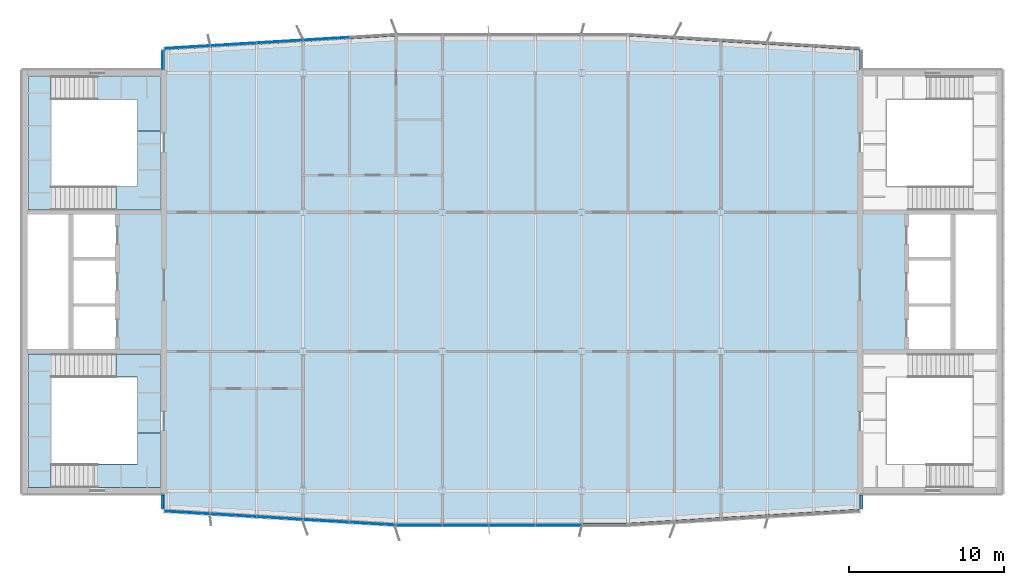
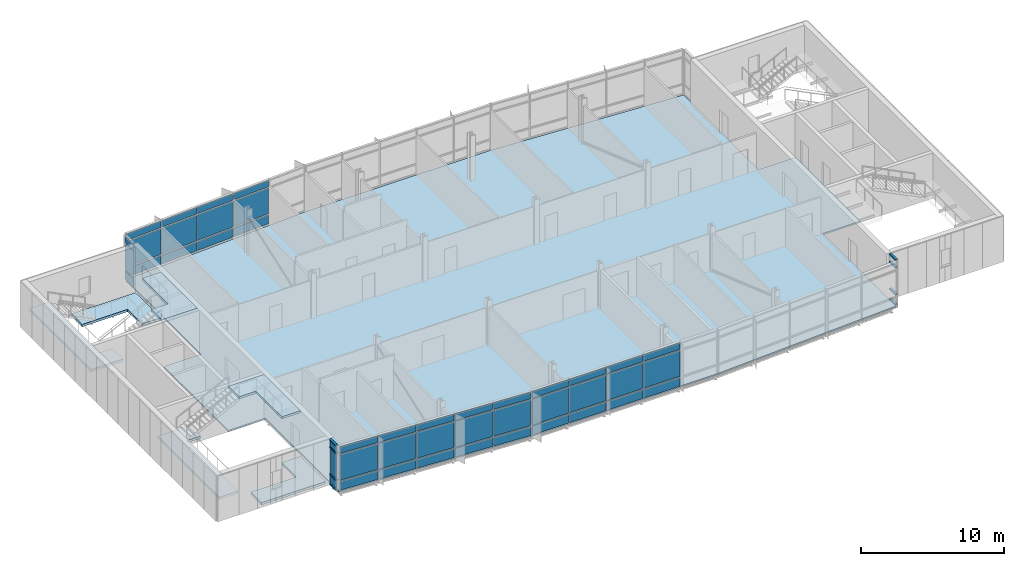
# One storey, part 9 of 17: 45 plates, 8 members, 7 slabs, 8 elements without a shape of their own.
"""IFC4 building model written with IfcOpenShell, lengths in metres."""

import ifcopenshell
import ifcopenshell.guid

model = None  # the IFC model being written
_history = None  # IfcOwnerHistory: only IFC2X3 demands one
_inside = {}  # id of a spatial element -> (the spatial element, [elements in it])
_under = {}  # id of a project, library or spatial element -> (it, [spatial elements below it])
_declared = {}  # id of a project -> (the project, [libraries it declares])
_typed = {}  # id of a type object -> (the type object, [elements of that type])
_made_of = {}  # id of a material, layer set ... -> (it, [elements and type objects made of it])


def new_model(schema):
    """Start an empty IFC model of exactly this schema.

    Asked for "IFC4X3", IfcOpenShell would pick the latest addendum, in which some entities
    have other attributes; the version numbers below select the first issue.
    IFC2X3 requires an IfcOwnerHistory on every rooted entity: one is made here for all.
    """
    global model, _history
    if schema == "IFC4X3":
        model = ifcopenshell.file(schema_version=(4, 3, 0, 0))
    else:
        model = ifcopenshell.file(schema=schema)
    _inside.clear()
    _under.clear()
    _declared.clear()
    _typed.clear()
    _made_of.clear()
    _history = None
    if model.schema == "IFC2X3":
        org = make("IfcOrganization", Name="unknown")
        user = make(
            "IfcPersonAndOrganization",
            ThePerson=make("IfcPerson", FamilyName="unknown"),
            TheOrganization=org,
        )
        app = make(
            "IfcApplication",
            ApplicationDeveloper=org,
            Version="unknown",
            ApplicationFullName="unknown",
            ApplicationIdentifier="unknown",
        )
        _history = make(
            "IfcOwnerHistory",
            OwningUser=user,
            OwningApplication=app,
            ChangeAction="ADDED",
            CreationDate=0,
        )
    return model


def make(cls, **values):
    """One entity of the class cls with the attributes given. An attribute that is None is left unset."""
    return model.create_entity(
        cls, **{name: value for name, value in values.items() if value is not None}
    )


def rooted(cls, **values):
    """An entity with a GlobalId (a new one), such as an element, a storey or a relation."""
    return make(cls, GlobalId=ifcopenshell.guid.new(), OwnerHistory=_history, **values)


def si_unit(unit_type, name, prefix=None):
    """IfcSIUnit, for example si_unit("LENGTHUNIT", "METRE", prefix="MILLI")."""
    return make("IfcSIUnit", UnitType=unit_type, Prefix=prefix, Name=name)


def assignment(units):
    """IfcUnitAssignment: the units of a project."""
    return None if units is None else make("IfcUnitAssignment", Units=units)


def point(xyz):
    """IfcCartesianPoint."""
    return None if xyz is None else make("IfcCartesianPoint", Coordinates=xyz)


def direction(xyz):
    """IfcDirection."""
    return None if xyz is None else make("IfcDirection", DirectionRatios=xyz)


def frame(location, z_axis=None, x_axis=None):
    """IfcAxis2Placement3D, a coordinate frame: its origin and axes. An axis left out is left unset."""
    return make(
        "IfcAxis2Placement3D",
        Location=point(location),
        Axis=direction(z_axis),
        RefDirection=direction(x_axis),
    )


def frame_2d(location, x_axis=None):
    """IfcAxis2Placement2D, a coordinate frame in the plane: its origin and x axis."""
    return make(
        "IfcAxis2Placement2D", Location=point(location), RefDirection=direction(x_axis)
    )


def origin():
    """The frame at (0, 0, 0) with its axes left unset."""
    return frame((0.0, 0.0, 0.0))


def origin_2d():
    """The frame at (0, 0) in the plane with its x axis left unset."""
    return frame_2d((0.0, 0.0))


def place(relative_to, where):
    """IfcLocalPlacement: puts the frame where relative to a parent placement (None: the world)."""
    return make(
        "IfcLocalPlacement", PlacementRelTo=relative_to, RelativePlacement=where
    )


def context(
    kind, dimensions, precision=None, world=None, true_north=None, identifier=None
):
    """IfcGeometricRepresentationContext, for example the 3D "Model" context."""
    return make(
        "IfcGeometricRepresentationContext",
        ContextIdentifier=identifier,
        ContextType=kind,
        CoordinateSpaceDimension=dimensions,
        Precision=precision,
        WorldCoordinateSystem=world,
        TrueNorth=true_north,
    )


def subcontext(parent, identifier, kind, view, scale=None):
    """IfcGeometricRepresentationSubContext, for example "Body" below "Model"."""
    return make(
        "IfcGeometricRepresentationSubContext",
        ContextIdentifier=identifier,
        ContextType=kind,
        ParentContext=parent,
        TargetScale=scale,
        TargetView=view,
    )


def project(units=None, contexts=None):
    """IfcProject with its units and contexts."""
    return rooted(
        "IfcProject",
        Name="project",
        RepresentationContexts=contexts,
        UnitsInContext=assignment(units),
    )


def spatial(cls, under=None, at=None, **own):
    """A site, building, storey or space (cls), placed at a placement, below another one or the project."""
    s = rooted(cls, ObjectPlacement=at, **own)
    if under is not None:
        _under.setdefault(under.id(), (under, []))[1].append(s)
    return s


def polyline(points):
    """IfcPolyline through the points."""
    return make("IfcPolyline", Points=[point(p) for p in points])


def profile(cls, at=None, kind="AREA", **sizes):
    """A parametric profile (cls). Its sizes go by their IFC names, for example OverallWidth=200.0."""
    return make(cls, ProfileType=kind, Position=at, **sizes)


def rectangle(**sizes):
    """IfcRectangleProfileDef."""
    return profile("IfcRectangleProfileDef", **sizes)


def outline(outer, holes=None, kind="AREA"):
    """IfcArbitraryClosedProfileDef: a profile drawn as a closed curve; with holes, ...WithVoids."""
    if holes is None:
        return make("IfcArbitraryClosedProfileDef", ProfileType=kind, OuterCurve=outer)
    return make(
        "IfcArbitraryProfileDefWithVoids",
        ProfileType=kind,
        OuterCurve=outer,
        InnerCurves=holes,
    )


def extrude(swept, where, along, depth):
    """IfcExtrudedAreaSolid: the profile swept, set in the frame where, extruded along a direction by depth."""
    return make(
        "IfcExtrudedAreaSolid",
        SweptArea=swept,
        Position=where,
        ExtrudedDirection=direction(along),
        Depth=depth,
    )


def shape(context_of_items, identifier, shape_type, items):
    """IfcShapeRepresentation: the items that make up one representation, for example the "Body"."""
    return make(
        "IfcShapeRepresentation",
        ContextOfItems=context_of_items,
        RepresentationIdentifier=identifier,
        RepresentationType=shape_type,
        Items=items,
    )


def material(Name=None, Category=None):
    """IfcMaterial."""
    return make("IfcMaterial", Name=Name, Category=Category)


def layer(
    of_material, thickness, ventilated=None, Name=None, Category=None, Priority=None
):
    """IfcMaterialLayer: one layer of a wall or slab, of a material (None: an air gap)."""
    return make(
        "IfcMaterialLayer",
        Material=of_material,
        LayerThickness=thickness,
        IsVentilated=ventilated,
        Name=Name,
        Category=Category,
        Priority=Priority,
    )


def layer_set(layers, Name=None):
    """IfcMaterialLayerSet."""
    return make("IfcMaterialLayerSet", MaterialLayers=layers, LayerSetName=Name)


def material_profile(
    of_material, cross_section, Name=None, Category=None, Priority=None
):
    """IfcMaterialProfile: a cross section and its material."""
    return make(
        "IfcMaterialProfile",
        Name=Name,
        Material=of_material,
        Profile=cross_section,
        Priority=Priority,
        Category=Category,
    )


def profile_set(profiles, Name=None, composite=None):
    """IfcMaterialProfileSet."""
    return make(
        "IfcMaterialProfileSet",
        Name=Name,
        MaterialProfiles=profiles,
        CompositeProfile=composite,
    )


def made_of(thing, what):
    """Note that an element or type object is made of a material, layer set ...; save() writes the relation."""
    if what is not None:
        _made_of.setdefault(what.id(), (what, []))[1].append(thing)
    return thing


def type_object(cls, material=None, **own):
    """A type object (cls), such as IfcWallType, which elements share."""
    return made_of(rooted(cls, **own), material)


def element(
    cls,
    number,
    at=None,
    inside=None,
    cuts=None,
    type_object=None,
    material=None,
    context=None,
    identifier="Body",
    shape_type=None,
    held_by="IfcProductDefinitionShape",
    body=None,
    shapes=None,
    **own,
):
    """One element of the class cls, such as IfcWall. Its Tag is "e" and its number.

    at: its placement. inside: the storey or other place that contains it. cuts: it is an
    opening in that element (IfcRelVoidsElement). A single representation is given by context,
    identifier, shape_type and body (its items); several are given by shapes. held_by: the class
    of the entity that holds the representations. save() writes the other relations.
    """
    e = rooted(cls, Tag="e%d" % number, ObjectPlacement=at, **own)
    if body is not None:
        shapes = [shape(context, identifier, shape_type, body)]
    if shapes is not None:
        e.Representation = make(held_by, Representations=shapes)
    if inside is not None:
        _inside.setdefault(inside.id(), (inside, []))[1].append(e)
    if cuts is not None:
        rooted(
            "IfcRelVoidsElement", RelatingBuildingElement=cuts, RelatedOpeningElement=e
        )
    if type_object is not None:
        _typed.setdefault(type_object.id(), (type_object, []))[1].append(e)
    return made_of(e, material)


def aggregate(whole, parts):
    """IfcRelAggregates: a whole, such as a stair, and the parts it consists of."""
    return rooted("IfcRelAggregates", RelatingObject=whole, RelatedObjects=parts)


def save(model, path):
    """Write the relations noted so far, then the file.

    IfcRelAggregates (storeys below a building ...), IfcRelContainedInSpatialStructure (elements
    in a storey), IfcRelDefinesByType, IfcRelAssociatesMaterial and IfcRelDeclares: one each for
    every whole, place, type object, material and project.
    """
    for whole, parts in _under.values():
        aggregate(whole, parts)
    for where, things in _inside.values():
        rooted(
            "IfcRelContainedInSpatialStructure",
            RelatedElements=things,
            RelatingStructure=where,
        )
    for kind, things in _typed.values():
        rooted("IfcRelDefinesByType", RelatedObjects=things, RelatingType=kind)
    for what, things in _made_of.values():
        rooted("IfcRelAssociatesMaterial", RelatedObjects=things, RelatingMaterial=what)
    for by, libraries in _declared.values():
        rooted("IfcRelDeclares", RelatingContext=by, RelatedDefinitions=libraries)
    model.write(path)


model = new_model("IFC4")

# Units and contexts
model_context = context("Model", 3, precision=1e-05, world=origin(), true_north=direction((0.0, 1.0)))
body_context = subcontext(model_context, "Body", "Model", "MODEL_VIEW")
ifc_project = project(units=[si_unit("LENGTHUNIT", "METRE"), si_unit("AREAUNIT", "SQUARE_METRE"), si_unit("VOLUMEUNIT", "CUBIC_METRE"), si_unit("PLANEANGLEUNIT", "RADIAN"), si_unit("MASSUNIT", "GRAM", prefix="KILO")], contexts=[model_context])

# Site, building, storey
site_placement = place(None, origin())
site = spatial("IfcSite", under=ifc_project, at=site_placement, CompositionType="ELEMENT")
building_placement = place(site_placement, origin())
building = spatial("IfcBuilding", under=site, at=building_placement, Name="Azimuth Sports and Learning Centre", CompositionType="ELEMENT")
storey_placement = place(building_placement, frame((0.0, 0.0, 40.199951171875)))
storey = spatial("IfcBuildingStorey", under=building, at=storey_placement, Name="L08", CompositionType="ELEMENT", Elevation=40.199951171875)

# Curtain wall, members
ifc_material_1 = material(Name="Aluminium and glass", Category="aluminium")
curtain_wall_type_1 = type_object("IfcCurtainWallType", Name="Curtain wall tower return 180", PredefinedType="NOTDEFINED", material=ifc_material_1)
curtain_wall_1_placement = place(storey_placement, origin())
curtain_wall_1 = element("IfcCurtainWall", 1, at=curtain_wall_1_placement, inside=storey, type_object=curtain_wall_type_1, Name="Curtain wall CW08-001", PredefinedType="NOTDEFINED")
ifc_material_2 = material(Name="Aluminium", Category="aluminium")
ifc_material_profile = material_profile(ifc_material_2, rectangle(XDim=0.179931640625, YDim=0.10009765625, at=origin_2d()), Name="Transom 100x180")
ifc_profile_set = profile_set([ifc_material_profile], Name="Aluminium")
member_type = type_object("IfcMemberType", Name="Transom 100x180", PredefinedType="USERDEFINED", material=ifc_profile_set)
member_1_placement = place(storey_placement, frame((62.909912109375, 89.739990234375, 0.050048828125), z_axis=(0.0, -1.0, 0.0), x_axis=(1.0, 0.0, 0.0)))
member_1 = element("IfcMember", 2, at=member_1_placement, type_object=member_type, Name="CW08-001 transom 1.1", ObjectType="TRANSOM", PredefinedType="USERDEFINED", context=body_context, shape_type="SweptSolid", body=[
    extrude(rectangle(XDim=0.179931640625, YDim=0.10009765625, at=origin_2d()), origin(), (0.0, 0.0, 1.0), 0.8798828125),
])
member_2_placement = place(storey_placement, frame((62.909912109375, 89.739990234375, 0.900146484375), z_axis=(0.0, -1.0, 0.0), x_axis=(1.0, 0.0, 0.0)))
member_2 = element("IfcMember", 3, at=member_2_placement, type_object=member_type, Name="CW08-001 transom 1.2", ObjectType="TRANSOM", PredefinedType="USERDEFINED", context=body_context, shape_type="SweptSolid", body=[
    extrude(rectangle(XDim=0.179931640625, YDim=0.10009765625, at=origin_2d()), origin(), (0.0, 0.0, 1.0), 0.8798828125),
])
member_3_placement = place(storey_placement, frame((62.909912109375, 89.739990234375, 3.199951171875), z_axis=(0.0, -1.0, 0.0), x_axis=(1.0, 0.0, 0.0)))
member_3 = element("IfcMember", 4, at=member_3_placement, type_object=member_type, Name="CW08-001 transom 1.3", ObjectType="TRANSOM", PredefinedType="USERDEFINED", context=body_context, shape_type="SweptSolid", body=[
    extrude(rectangle(XDim=0.179931640625, YDim=0.10009765625, at=origin_2d()), origin(), (0.0, 0.0, 1.0), 0.8798828125),
])
member_4_placement = place(storey_placement, frame((62.909912109375, 89.739990234375, 3.85009765625), z_axis=(0.0, -1.0, 0.0), x_axis=(1.0, 0.0, 0.0)))
member_4 = element("IfcMember", 5, at=member_4_placement, type_object=member_type, Name="CW08-001 transom 1.4", ObjectType="TRANSOM", PredefinedType="USERDEFINED", context=body_context, shape_type="SweptSolid", body=[
    extrude(rectangle(XDim=0.179931640625, YDim=0.10009765625, at=origin_2d()), origin(), (0.0, 0.0, 1.0), 0.8798828125),
])

curtain_wall_2_placement = place(storey_placement, origin())
curtain_wall_2 = element("IfcCurtainWall", 6, at=curtain_wall_2_placement, inside=storey, type_object=curtain_wall_type_1, Name="Curtain wall CW08-005", PredefinedType="NOTDEFINED")
member_5_placement = place(storey_placement, frame((108.090087890625, 88.860107421875, 0.050048828125), z_axis=(0.0, 1.0, 0.0), x_axis=(-1.0, 0.0, 0.0)))
member_5 = element("IfcMember", 7, at=member_5_placement, type_object=member_type, Name="CW08-005 transom 1.1", ObjectType="TRANSOM", PredefinedType="USERDEFINED", context=body_context, shape_type="SweptSolid", body=[
    extrude(rectangle(XDim=0.179931640625, YDim=0.10009765625, at=origin_2d()), origin(), (0.0, 0.0, 1.0), 0.8798828125),
])
member_6_placement = place(storey_placement, frame((108.090087890625, 88.860107421875, 0.900146484375), z_axis=(0.0, 1.0, 0.0), x_axis=(-1.0, 0.0, 0.0)))
member_6 = element("IfcMember", 8, at=member_6_placement, type_object=member_type, Name="CW08-005 transom 1.2", ObjectType="TRANSOM", PredefinedType="USERDEFINED", context=body_context, shape_type="SweptSolid", body=[
    extrude(rectangle(XDim=0.179931640625, YDim=0.10009765625, at=origin_2d()), origin(), (0.0, 0.0, 1.0), 0.8798828125),
])
member_7_placement = place(storey_placement, frame((108.090087890625, 88.860107421875, 3.199951171875), z_axis=(0.0, 1.0, 0.0), x_axis=(-1.0, 0.0, 0.0)))
member_7 = element("IfcMember", 9, at=member_7_placement, type_object=member_type, Name="CW08-005 transom 1.3", ObjectType="TRANSOM", PredefinedType="USERDEFINED", context=body_context, shape_type="SweptSolid", body=[
    extrude(rectangle(XDim=0.179931640625, YDim=0.10009765625, at=origin_2d()), origin(), (0.0, 0.0, 1.0), 0.8798828125),
])
member_8_placement = place(storey_placement, frame((108.090087890625, 88.860107421875, 3.85009765625), z_axis=(0.0, 1.0, 0.0), x_axis=(-1.0, 0.0, 0.0)))
member_8 = element("IfcMember", 10, at=member_8_placement, type_object=member_type, Name="CW08-005 transom 1.4", ObjectType="TRANSOM", PredefinedType="USERDEFINED", context=body_context, shape_type="SweptSolid", body=[
    extrude(rectangle(XDim=0.179931640625, YDim=0.10009765625, at=origin_2d()), origin(), (0.0, 0.0, 1.0), 0.8798828125),
])
aggregate(curtain_wall_2, [member_5, member_6, member_7, member_8])

# Slab
ifc_material_3 = material(Name="Concrete C30/37", Category="concrete")
ifc_layer_1 = layer(ifc_material_3, 0.1298828125)
ifc_layer_set_1 = layer_set([ifc_layer_1], Name="Concrete C30/37")
slab_type_1 = type_object("IfcSlabType", Name="Composite floor slab 130", PredefinedType="FLOOR", material=ifc_layer_set_1)
slab_1_placement = place(storey_placement, frame((0.0, 0.0, -0.1298828125)))
element("IfcSlab", 11, at=slab_1_placement, inside=storey, type_object=slab_type_1, Name="Slab TOWER L08", PredefinedType="FLOOR", context=body_context, shape_type="SweptSolid", body=[
    extrude(outline(polyline([(78.0, 87.89990234375), (93.0, 87.89990234375), (108.0, 88.800048828125), (108.0, 99.0), (111.0, 99.0), (111.0, 108.0), (108.0, 108.0), (108.0, 118.5), (93.0, 119.39990234375), (78.0, 119.39990234375), (63.0, 118.5), (63.0, 108.0), (60.0, 108.0), (60.0, 99.0), (63.0, 99.0), (63.0, 88.800048828125), (78.0, 87.89990234375)])), origin(), (0.0, 0.0, 1.0), 0.1298828125),
])

# Stair, slabs
ifc_material_4 = material(Name="Concrete C32/40", Category="concrete")
stair_type = type_object("IfcStairType", Name="Square-well stair core 3900 storey", PredefinedType="THREE_QUARTER_TURN_STAIR", material=ifc_material_4)
stair_1_placement = place(storey_placement, origin())
stair_1 = element("IfcStair", 12, at=stair_1_placement, inside=storey, type_object=stair_type, Name="Stair W1 L08-L09", PredefinedType="THREE_QUARTER_TURN_STAIR")
ifc_material_5 = material(Name="Concrete C32/40", Category="concrete")
ifc_layer_2 = layer(ifc_material_5, 0.199951171875)
ifc_layer_set_2 = layer_set([ifc_layer_2], Name="Concrete C32/40")
slab_type_2 = type_object("IfcSlabType", Name="Concrete stair landing", PredefinedType="LANDING", material=ifc_layer_set_2)
slab_2_placement = place(storey_placement, frame((0.0, 0.0, -0.199951171875)))
slab_2 = element("IfcSlab", 13, at=slab_2_placement, type_object=slab_type_2, Name="Stair W1 L08 landing 1", PredefinedType="LANDING", context=body_context, shape_type="SweptSolid", body=[
    extrude(outline(polyline([(62.7900390625, 90.2099609375), (62.7900390625, 93.75), (61.2900390625, 93.75), (61.2900390625, 91.7099609375), (57.610107421875, 91.7099609375), (57.610107421875, 90.2099609375), (62.7900390625, 90.2099609375)])), origin(), (0.0, 0.0, 1.0), 0.199951171875),
])
slab_3_placement = place(storey_placement, frame((0.0, 0.0, 1.449951171875)))
slab_3 = element("IfcSlab", 14, at=slab_3_placement, type_object=slab_type_2, Name="Stair W1 L08 landing 2", PredefinedType="LANDING", context=body_context, shape_type="SweptSolid", body=[
    extrude(outline(polyline([(55.7099609375, 91.7099609375), (55.7099609375, 97.340087890625), (56.81005859375, 97.340087890625), (56.81005859375, 98.840087890625), (54.2099609375, 98.840087890625), (54.2099609375, 90.2099609375), (55.710693359375, 90.2099609375), (55.710693359375, 91.7099609375), (55.7099609375, 91.7099609375)])), origin(), (0.0, 0.0, 1.0), 0.2001953125),
])
slab_4_placement = place(storey_placement, frame((0.0, 0.0, 3.699951171875)))
slab_4 = element("IfcSlab", 15, at=slab_4_placement, type_object=slab_type_2, Name="Stair W1 L08 landing 3", PredefinedType="LANDING", context=body_context, shape_type="SweptSolid", body=[
    extrude(outline(polyline([(61.2900390625, 97.340087890625), (61.2900390625, 93.75), (62.7900390625, 93.75), (62.7900390625, 98.840087890625), (59.9091796875, 98.840087890625), (59.9091796875, 97.340087890625), (61.2900390625, 97.340087890625)])), origin(), (0.0, 0.0, 1.0), 0.2001953125),
])
aggregate(stair_1, [slab_2, slab_3, slab_4])

stair_2_placement = place(storey_placement, origin())
stair_2 = element("IfcStair", 16, at=stair_2_placement, inside=storey, type_object=stair_type, Name="Stair W2 L08-L09", PredefinedType="THREE_QUARTER_TURN_STAIR")
slab_5_placement = place(storey_placement, frame((0.0, 0.0, -0.199951171875)))
slab_5 = element("IfcSlab", 17, at=slab_5_placement, type_object=slab_type_2, Name="Stair W2 L08 landing 1", PredefinedType="LANDING", context=body_context, shape_type="SweptSolid", body=[
    extrude(outline(polyline([(57.610107421875, 115.2900390625), (61.2900390625, 115.2900390625), (61.2900390625, 113.25), (62.7900390625, 113.25), (62.7900390625, 116.7900390625), (57.610107421875, 116.7900390625), (57.610107421875, 115.2900390625)])), origin(), (0.0, 0.0, 1.0), 0.199951171875),
])
slab_6_placement = place(storey_placement, frame((0.0, 0.0, 1.449951171875)))
slab_6 = element("IfcSlab", 18, at=slab_6_placement, type_object=slab_type_2, Name="Stair W2 L08 landing 2", PredefinedType="LANDING", context=body_context, shape_type="SweptSolid", body=[
    extrude(outline(polyline([(55.7099609375, 115.2900390625), (55.710693359375, 115.2900390625), (55.710693359375, 116.7900390625), (54.2099609375, 116.7900390625), (54.2099609375, 108.159912109375), (56.81005859375, 108.159912109375), (56.81005859375, 109.659912109375), (55.7099609375, 109.659912109375), (55.7099609375, 115.2900390625)])), origin(), (0.0, 0.0, 1.0), 0.2001953125),
])
slab_7_placement = place(storey_placement, frame((0.0, 0.0, 3.699951171875)))
slab_7 = element("IfcSlab", 19, at=slab_7_placement, type_object=slab_type_2, Name="Stair W2 L08 landing 3", PredefinedType="LANDING", context=body_context, shape_type="SweptSolid", body=[
    extrude(outline(polyline([(61.2900390625, 109.659912109375), (59.9091796875, 109.659912109375), (59.9091796875, 108.159912109375), (62.7900390625, 108.159912109375), (62.7900390625, 113.25), (61.2900390625, 113.25), (61.2900390625, 109.659912109375)])), origin(), (0.0, 0.0, 1.0), 0.2001953125),
])
aggregate(stair_2, [slab_5, slab_6, slab_7])

# Plate
ifc_material_6 = material(Name="Insulated aluminium panel", Category="aluminium")
ifc_layer_3 = layer(ifc_material_6, 0.050048828125)
ifc_layer_set_3 = layer_set([ifc_layer_3], Name="Insulated aluminium panel")
plate_type_1 = type_object("IfcPlateType", Name="Spandrel panel 50 mm", PredefinedType="CURTAIN_PANEL", material=ifc_layer_set_3)
plate_1_placement = place(storey_placement, frame((62.909912109375, 89.300048828125, 0.10009765625), z_axis=(0.0, 0.0, 1.0), x_axis=(0.0, -1.0, 0.0)))
plate_1 = element("IfcPlate", 20, at=plate_1_placement, type_object=plate_type_1, Name="CW08-001 panel 1.1", PredefinedType="CURTAIN_PANEL", context=body_context, shape_type="SweptSolid", body=[
    extrude(rectangle(XDim=0.8798828125, YDim=0.050048828125, at=origin_2d()), origin(), (0.0, 0.0, 1.0), 0.75),
])

plate_2_placement = place(storey_placement, frame((62.909912109375, 89.300048828125, 3.25), z_axis=(0.0, 0.0, 1.0), x_axis=(0.0, -1.0, 0.0)))
plate_2 = element("IfcPlate", 21, at=plate_2_placement, type_object=plate_type_1, Name="CW08-001 panel 1.3", PredefinedType="CURTAIN_PANEL", context=body_context, shape_type="SweptSolid", body=[
    extrude(rectangle(XDim=0.8798828125, YDim=0.050048828125, at=origin_2d()), origin(), (0.0, 0.0, 1.0), 0.550048828125),
])

# Curtain wall, plates
ifc_material_7 = material(Name="Aluminium and glass", Category="aluminium")
curtain_wall_type_2 = type_object("IfcCurtainWallType", Name="Curtain wall tower south 240", PredefinedType="NOTDEFINED", material=ifc_material_7)
curtain_wall_3_placement = place(storey_placement, origin())
curtain_wall_3 = element("IfcCurtainWall", 22, at=curtain_wall_3_placement, inside=storey, type_object=curtain_wall_type_2, Name="Curtain wall CW08-002", PredefinedType="NOTDEFINED")
plate_3_placement = place(storey_placement, frame((64.51025390625, 88.589111328125, 0.10009765625), z_axis=(0.0, 0.0, 1.0), x_axis=(0.998204863401, -0.059891991812, 0.0)))
plate_3 = element("IfcPlate", 23, at=plate_3_placement, type_object=plate_type_1, Name="CW08-002 panel 1.1", PredefinedType="CURTAIN_PANEL", context=body_context, shape_type="SweptSolid", body=[
    extrude(rectangle(XDim=2.900390625, YDim=0.050048828125, at=origin_2d()), origin(), (0.0, 0.0, 1.0), 0.75),
])
plate_4_placement = place(storey_placement, frame((64.51025390625, 88.589111328125, 3.25), z_axis=(0.0, 0.0, 1.0), x_axis=(0.998204863401, -0.059891991812, 0.0)))
plate_4 = element("IfcPlate", 24, at=plate_4_placement, type_object=plate_type_1, Name="CW08-002 panel 1.3", PredefinedType="CURTAIN_PANEL", context=body_context, shape_type="SweptSolid", body=[
    extrude(rectangle(XDim=2.900390625, YDim=0.050048828125, at=origin_2d()), origin(), (0.0, 0.0, 1.0), 0.550048828125),
])
plate_5_placement = place(storey_placement, frame((67.492919921875, 88.41015625, 0.10009765625), z_axis=(0.0, 0.0, 1.0), x_axis=(0.998204863401, -0.059891991812, 0.0)))
plate_5 = element("IfcPlate", 25, at=plate_5_placement, type_object=plate_type_1, Name="CW08-002 panel 2.1", PredefinedType="CURTAIN_PANEL", context=body_context, shape_type="SweptSolid", body=[
    extrude(rectangle(XDim=2.935302734375, YDim=0.050048828125, at=origin_2d()), origin(), (0.0, 0.0, 1.0), 0.75),
])
plate_6_placement = place(storey_placement, frame((67.492919921875, 88.41015625, 3.25), z_axis=(0.0, 0.0, 1.0), x_axis=(0.998204863401, -0.059891991812, 0.0)))
plate_6 = element("IfcPlate", 26, at=plate_6_placement, type_object=plate_type_1, Name="CW08-002 panel 2.3", PredefinedType="CURTAIN_PANEL", context=body_context, shape_type="SweptSolid", body=[
    extrude(rectangle(XDim=2.935302734375, YDim=0.050048828125, at=origin_2d()), origin(), (0.0, 0.0, 1.0), 0.550048828125),
])
plate_7_placement = place(storey_placement, frame((70.492919921875, 88.230224609375, 0.10009765625), z_axis=(0.0, 0.0, 1.0), x_axis=(0.998204863401, -0.059891991812, 0.0)))
plate_7 = element("IfcPlate", 27, at=plate_7_placement, type_object=plate_type_1, Name="CW08-002 panel 3.1", PredefinedType="CURTAIN_PANEL", context=body_context, shape_type="SweptSolid", body=[
    extrude(rectangle(XDim=2.935302734375, YDim=0.050048828125, at=origin_2d()), origin(), (0.0, 0.0, 1.0), 0.75),
])
plate_8_placement = place(storey_placement, frame((70.492919921875, 88.230224609375, 3.25), z_axis=(0.0, 0.0, 1.0), x_axis=(0.998204863401, -0.059891991812, 0.0)))
plate_8 = element("IfcPlate", 28, at=plate_8_placement, type_object=plate_type_1, Name="CW08-002 panel 3.3", PredefinedType="CURTAIN_PANEL", context=body_context, shape_type="SweptSolid", body=[
    extrude(rectangle(XDim=2.935302734375, YDim=0.050048828125, at=origin_2d()), origin(), (0.0, 0.0, 1.0), 0.550048828125),
])
plate_9_placement = place(storey_placement, frame((73.492919921875, 88.05029296875, 0.10009765625), z_axis=(0.0, 0.0, 1.0), x_axis=(0.998204863401, -0.059891991812, 0.0)))
plate_9 = element("IfcPlate", 29, at=plate_9_placement, type_object=plate_type_1, Name="CW08-002 panel 4.1", PredefinedType="CURTAIN_PANEL", context=body_context, shape_type="SweptSolid", body=[
    extrude(rectangle(XDim=2.935302734375, YDim=0.050048828125, at=origin_2d()), origin(), (0.0, 0.0, 1.0), 0.75),
])
plate_10_placement = place(storey_placement, frame((73.492919921875, 88.05029296875, 3.25), z_axis=(0.0, 0.0, 1.0), x_axis=(0.998204863401, -0.059891991812, 0.0)))
plate_10 = element("IfcPlate", 30, at=plate_10_placement, type_object=plate_type_1, Name="CW08-002 panel 4.3", PredefinedType="CURTAIN_PANEL", context=body_context, shape_type="SweptSolid", body=[
    extrude(rectangle(XDim=2.935302734375, YDim=0.050048828125, at=origin_2d()), origin(), (0.0, 0.0, 1.0), 0.550048828125),
])
plate_11_placement = place(storey_placement, frame((76.475341796875, 87.871337890625, 0.10009765625), z_axis=(0.0, 0.0, 1.0), x_axis=(0.998204863401, -0.059891991812, 0.0)))
plate_11 = element("IfcPlate", 31, at=plate_11_placement, type_object=plate_type_1, Name="CW08-002 panel 5.1", PredefinedType="CURTAIN_PANEL", context=body_context, shape_type="SweptSolid", body=[
    extrude(rectangle(XDim=2.900390625, YDim=0.050048828125, at=origin_2d()), origin(), (0.0, 0.0, 1.0), 0.75),
])
plate_12_placement = place(storey_placement, frame((76.475341796875, 87.871337890625, 3.25), z_axis=(0.0, 0.0, 1.0), x_axis=(0.998204863401, -0.059891991812, 0.0)))
plate_12 = element("IfcPlate", 32, at=plate_12_placement, type_object=plate_type_1, Name="CW08-002 panel 5.3", PredefinedType="CURTAIN_PANEL", context=body_context, shape_type="SweptSolid", body=[
    extrude(rectangle(XDim=2.900390625, YDim=0.050048828125, at=origin_2d()), origin(), (0.0, 0.0, 1.0), 0.550048828125),
])

curtain_wall_4_placement = place(storey_placement, origin())
curtain_wall_4 = element("IfcCurtainWall", 33, at=curtain_wall_4_placement, inside=storey, type_object=curtain_wall_type_2, Name="Curtain wall CW08-003", PredefinedType="NOTDEFINED")
plate_13_placement = place(storey_placement, frame((79.513916015625, 87.780029296875, 0.10009765625), z_axis=(0.0, 0.0, 1.0), x_axis=(1.0, 0.0, 0.0)))
plate_13 = element("IfcPlate", 34, at=plate_13_placement, type_object=plate_type_1, Name="CW08-003 panel 1.1", PredefinedType="CURTAIN_PANEL", context=body_context, shape_type="SweptSolid", body=[
    extrude(rectangle(XDim=2.902099609375, YDim=0.050048828125, at=origin_2d()), origin(), (0.0, 0.0, 1.0), 0.75),
])
plate_14_placement = place(storey_placement, frame((79.513916015625, 87.780029296875, 3.25), z_axis=(0.0, 0.0, 1.0), x_axis=(1.0, 0.0, 0.0)))
plate_14 = element("IfcPlate", 35, at=plate_14_placement, type_object=plate_type_1, Name="CW08-003 panel 1.3", PredefinedType="CURTAIN_PANEL", context=body_context, shape_type="SweptSolid", body=[
    extrude(rectangle(XDim=2.902099609375, YDim=0.050048828125, at=origin_2d()), origin(), (0.0, 0.0, 1.0), 0.550048828125),
])
plate_15_placement = place(storey_placement, frame((82.5, 87.780029296875, 0.10009765625), z_axis=(0.0, 0.0, 1.0), x_axis=(1.0, 0.0, 0.0)))
plate_15 = element("IfcPlate", 36, at=plate_15_placement, type_object=plate_type_1, Name="CW08-003 panel 2.1", PredefinedType="CURTAIN_PANEL", context=body_context, shape_type="SweptSolid", body=[
    extrude(rectangle(XDim=2.929931640625, YDim=0.050048828125, at=origin_2d()), origin(), (0.0, 0.0, 1.0), 0.75),
])
plate_16_placement = place(storey_placement, frame((82.5, 87.780029296875, 3.25), z_axis=(0.0, 0.0, 1.0), x_axis=(1.0, 0.0, 0.0)))
plate_16 = element("IfcPlate", 37, at=plate_16_placement, type_object=plate_type_1, Name="CW08-003 panel 2.3", PredefinedType="CURTAIN_PANEL", context=body_context, shape_type="SweptSolid", body=[
    extrude(rectangle(XDim=2.929931640625, YDim=0.050048828125, at=origin_2d()), origin(), (0.0, 0.0, 1.0), 0.550048828125),
])
plate_17_placement = place(storey_placement, frame((85.5, 87.780029296875, 0.10009765625), z_axis=(0.0, 0.0, 1.0), x_axis=(1.0, 0.0, 0.0)))
plate_17 = element("IfcPlate", 38, at=plate_17_placement, type_object=plate_type_1, Name="CW08-003 panel 3.1", PredefinedType="CURTAIN_PANEL", context=body_context, shape_type="SweptSolid", body=[
    extrude(rectangle(XDim=2.929931640625, YDim=0.050048828125, at=origin_2d()), origin(), (0.0, 0.0, 1.0), 0.75),
])
plate_18_placement = place(storey_placement, frame((85.5, 87.780029296875, 3.25), z_axis=(0.0, 0.0, 1.0), x_axis=(1.0, 0.0, 0.0)))
plate_18 = element("IfcPlate", 39, at=plate_18_placement, type_object=plate_type_1, Name="CW08-003 panel 3.3", PredefinedType="CURTAIN_PANEL", context=body_context, shape_type="SweptSolid", body=[
    extrude(rectangle(XDim=2.929931640625, YDim=0.050048828125, at=origin_2d()), origin(), (0.0, 0.0, 1.0), 0.550048828125),
])
plate_19_placement = place(storey_placement, frame((88.5, 87.780029296875, 0.10009765625), z_axis=(0.0, 0.0, 1.0), x_axis=(1.0, 0.0, 0.0)))
plate_19 = element("IfcPlate", 40, at=plate_19_placement, type_object=plate_type_1, Name="CW08-003 panel 4.1", PredefinedType="CURTAIN_PANEL", context=body_context, shape_type="SweptSolid", body=[
    extrude(rectangle(XDim=2.929931640625, YDim=0.050048828125, at=origin_2d()), origin(), (0.0, 0.0, 1.0), 0.75),
])
plate_20_placement = place(storey_placement, frame((88.5, 87.780029296875, 3.25), z_axis=(0.0, 0.0, 1.0), x_axis=(1.0, 0.0, 0.0)))
plate_20 = element("IfcPlate", 41, at=plate_20_placement, type_object=plate_type_1, Name="CW08-003 panel 4.3", PredefinedType="CURTAIN_PANEL", context=body_context, shape_type="SweptSolid", body=[
    extrude(rectangle(XDim=2.929931640625, YDim=0.050048828125, at=origin_2d()), origin(), (0.0, 0.0, 1.0), 0.550048828125),
])

ifc_material_8 = material(Name="Aluminium and glass", Category="aluminium")
curtain_wall_type_3 = type_object("IfcCurtainWallType", Name="Curtain wall tower north 180", PredefinedType="NOTDEFINED", material=ifc_material_8)
curtain_wall_5_placement = place(storey_placement, origin())
curtain_wall_5 = element("IfcCurtainWall", 42, at=curtain_wall_5_placement, inside=storey, type_object=curtain_wall_type_3, Name="Curtain wall CW08-009", PredefinedType="NOTDEFINED")
plate_21_placement = place(storey_placement, frame((73.49462890625, 119.2197265625, 0.10009765625), z_axis=(0.0, 0.0, 1.0), x_axis=(-0.998204863401, -0.059891991812, 0.0)))
plate_21 = element("IfcPlate", 43, at=plate_21_placement, type_object=plate_type_1, Name="CW08-009 panel 2.1", PredefinedType="CURTAIN_PANEL", context=body_context, shape_type="SweptSolid", body=[
    extrude(rectangle(XDim=2.9453125, YDim=0.050048828125, at=origin_2d()), origin(), (0.0, 0.0, 1.0), 0.75),
])
plate_22_placement = place(storey_placement, frame((73.49462890625, 119.2197265625, 3.25), z_axis=(0.0, 0.0, 1.0), x_axis=(-0.998204863401, -0.059891991812, 0.0)))
plate_22 = element("IfcPlate", 44, at=plate_22_placement, type_object=plate_type_1, Name="CW08-009 panel 2.3", PredefinedType="CURTAIN_PANEL", context=body_context, shape_type="SweptSolid", body=[
    extrude(rectangle(XDim=2.9453125, YDim=0.050048828125, at=origin_2d()), origin(), (0.0, 0.0, 1.0), 0.550048828125),
])
plate_23_placement = place(storey_placement, frame((70.49462890625, 119.039794921875, 0.10009765625), z_axis=(0.0, 0.0, 1.0), x_axis=(-0.998204863401, -0.059891991812, 0.0)))
plate_23 = element("IfcPlate", 45, at=plate_23_placement, type_object=plate_type_1, Name="CW08-009 panel 3.1", PredefinedType="CURTAIN_PANEL", context=body_context, shape_type="SweptSolid", body=[
    extrude(rectangle(XDim=2.9453125, YDim=0.050048828125, at=origin_2d()), origin(), (0.0, 0.0, 1.0), 0.75),
])
plate_24_placement = place(storey_placement, frame((70.49462890625, 119.039794921875, 3.25), z_axis=(0.0, 0.0, 1.0), x_axis=(-0.998204863401, -0.059891991812, 0.0)))
plate_24 = element("IfcPlate", 46, at=plate_24_placement, type_object=plate_type_1, Name="CW08-009 panel 3.3", PredefinedType="CURTAIN_PANEL", context=body_context, shape_type="SweptSolid", body=[
    extrude(rectangle(XDim=2.9453125, YDim=0.050048828125, at=origin_2d()), origin(), (0.0, 0.0, 1.0), 0.550048828125),
])
plate_25_placement = place(storey_placement, frame((67.49462890625, 118.85986328125, 0.10009765625), z_axis=(0.0, 0.0, 1.0), x_axis=(-0.998204863401, -0.059891991812, 0.0)))
plate_25 = element("IfcPlate", 47, at=plate_25_placement, type_object=plate_type_1, Name="CW08-009 panel 4.1", PredefinedType="CURTAIN_PANEL", context=body_context, shape_type="SweptSolid", body=[
    extrude(rectangle(XDim=2.9453125, YDim=0.050048828125, at=origin_2d()), origin(), (0.0, 0.0, 1.0), 0.75),
])
plate_26_placement = place(storey_placement, frame((67.49462890625, 118.85986328125, 3.25), z_axis=(0.0, 0.0, 1.0), x_axis=(-0.998204863401, -0.059891991812, 0.0)))
plate_26 = element("IfcPlate", 48, at=plate_26_placement, type_object=plate_type_1, Name="CW08-009 panel 4.3", PredefinedType="CURTAIN_PANEL", context=body_context, shape_type="SweptSolid", body=[
    extrude(rectangle(XDim=2.9453125, YDim=0.050048828125, at=origin_2d()), origin(), (0.0, 0.0, 1.0), 0.550048828125),
])
plate_27_placement = place(storey_placement, frame((64.509521484375, 118.6806640625, 0.10009765625), z_axis=(0.0, 0.0, 1.0), x_axis=(-0.998204863401, -0.059891991812, 0.0)))
plate_27 = element("IfcPlate", 49, at=plate_27_placement, type_object=plate_type_1, Name="CW08-009 panel 5.1", PredefinedType="CURTAIN_PANEL", context=body_context, shape_type="SweptSolid", body=[
    extrude(rectangle(XDim=2.915283203125, YDim=0.050048828125, at=origin_2d()), origin(), (0.0, 0.0, 1.0), 0.75),
])
plate_28_placement = place(storey_placement, frame((64.509521484375, 118.6806640625, 3.25), z_axis=(0.0, 0.0, 1.0), x_axis=(-0.998204863401, -0.059891991812, 0.0)))
plate_28 = element("IfcPlate", 50, at=plate_28_placement, type_object=plate_type_1, Name="CW08-009 panel 5.3", PredefinedType="CURTAIN_PANEL", context=body_context, shape_type="SweptSolid", body=[
    extrude(rectangle(XDim=2.915283203125, YDim=0.050048828125, at=origin_2d()), origin(), (0.0, 0.0, 1.0), 0.550048828125),
])

curtain_wall_6_placement = place(storey_placement, origin())
curtain_wall_6 = element("IfcCurtainWall", 51, at=curtain_wall_6_placement, inside=storey, type_object=curtain_wall_type_1, Name="Curtain wall CW08-010", PredefinedType="NOTDEFINED")
plate_29_placement = place(storey_placement, frame((62.909912109375, 117.85009765625, 0.10009765625), z_axis=(0.0, 0.0, 1.0), x_axis=(0.0, -1.0, 0.0)))
plate_29 = element("IfcPlate", 52, at=plate_29_placement, type_object=plate_type_1, Name="CW08-010 panel 1.1", PredefinedType="CURTAIN_PANEL", context=body_context, shape_type="SweptSolid", body=[
    extrude(rectangle(XDim=1.179931640625, YDim=0.050048828125, at=origin_2d()), origin(), (0.0, 0.0, 1.0), 0.75),
])
plate_30_placement = place(storey_placement, frame((62.909912109375, 117.85009765625, 3.25), z_axis=(0.0, 0.0, 1.0), x_axis=(0.0, -1.0, 0.0)))
plate_30 = element("IfcPlate", 53, at=plate_30_placement, type_object=plate_type_1, Name="CW08-010 panel 1.3", PredefinedType="CURTAIN_PANEL", context=body_context, shape_type="SweptSolid", body=[
    extrude(rectangle(XDim=1.179931640625, YDim=0.050048828125, at=origin_2d()), origin(), (0.0, 0.0, 1.0), 0.550048828125),
])

# Plate
ifc_material_9 = material(Name="Glass", Category="glass")
ifc_layer_4 = layer(ifc_material_9, 0.031982421875)
ifc_layer_set_4 = layer_set([ifc_layer_4], Name="Glass")
plate_type_2 = type_object("IfcPlateType", Name="Vision glass 32 mm", PredefinedType="CURTAIN_PANEL", material=ifc_layer_set_4)
plate_31_placement = place(storey_placement, frame((62.909912109375, 89.300048828125, 0.9501953125), z_axis=(0.0, 0.0, 1.0), x_axis=(0.0, -1.0, 0.0)))
plate_31 = element("IfcPlate", 54, at=plate_31_placement, type_object=plate_type_2, Name="CW08-001 panel 1.2", PredefinedType="CURTAIN_PANEL", context=body_context, shape_type="SweptSolid", body=[
    extrude(rectangle(XDim=0.8798828125, YDim=0.031982421875, at=origin_2d()), origin(), (0.0, 0.0, 1.0), 2.199951171875),
])

aggregate(curtain_wall_1, [member_1, member_2, member_3, member_4, plate_1, plate_31, plate_2])

plate_32_placement = place(storey_placement, frame((64.51025390625, 88.589111328125, 0.9501953125), z_axis=(0.0, 0.0, 1.0), x_axis=(0.998204863401, -0.059891991812, 0.0)))
plate_32 = element("IfcPlate", 55, at=plate_32_placement, type_object=plate_type_2, Name="CW08-002 panel 1.2", PredefinedType="CURTAIN_PANEL", context=body_context, shape_type="SweptSolid", body=[
    extrude(rectangle(XDim=2.900390625, YDim=0.031982421875, at=origin_2d()), origin(), (0.0, 0.0, 1.0), 2.199951171875),
])

plate_33_placement = place(storey_placement, frame((67.492919921875, 88.41015625, 0.9501953125), z_axis=(0.0, 0.0, 1.0), x_axis=(0.998204863401, -0.059891991812, 0.0)))
plate_33 = element("IfcPlate", 56, at=plate_33_placement, type_object=plate_type_2, Name="CW08-002 panel 2.2", PredefinedType="CURTAIN_PANEL", context=body_context, shape_type="SweptSolid", body=[
    extrude(rectangle(XDim=2.935302734375, YDim=0.031982421875, at=origin_2d()), origin(), (0.0, 0.0, 1.0), 2.199951171875),
])

plate_34_placement = place(storey_placement, frame((70.492919921875, 88.230224609375, 0.9501953125), z_axis=(0.0, 0.0, 1.0), x_axis=(0.998204863401, -0.059891991812, 0.0)))
plate_34 = element("IfcPlate", 57, at=plate_34_placement, type_object=plate_type_2, Name="CW08-002 panel 3.2", PredefinedType="CURTAIN_PANEL", context=body_context, shape_type="SweptSolid", body=[
    extrude(rectangle(XDim=2.935302734375, YDim=0.031982421875, at=origin_2d()), origin(), (0.0, 0.0, 1.0), 2.199951171875),
])

plate_35_placement = place(storey_placement, frame((73.492919921875, 88.05029296875, 0.9501953125), z_axis=(0.0, 0.0, 1.0), x_axis=(0.998204863401, -0.059891991812, 0.0)))
plate_35 = element("IfcPlate", 58, at=plate_35_placement, type_object=plate_type_2, Name="CW08-002 panel 4.2", PredefinedType="CURTAIN_PANEL", context=body_context, shape_type="SweptSolid", body=[
    extrude(rectangle(XDim=2.935302734375, YDim=0.031982421875, at=origin_2d()), origin(), (0.0, 0.0, 1.0), 2.199951171875),
])

plate_36_placement = place(storey_placement, frame((76.475341796875, 87.871337890625, 0.9501953125), z_axis=(0.0, 0.0, 1.0), x_axis=(0.998204863401, -0.059891991812, 0.0)))
plate_36 = element("IfcPlate", 59, at=plate_36_placement, type_object=plate_type_2, Name="CW08-002 panel 5.2", PredefinedType="CURTAIN_PANEL", context=body_context, shape_type="SweptSolid", body=[
    extrude(rectangle(XDim=2.900390625, YDim=0.031982421875, at=origin_2d()), origin(), (0.0, 0.0, 1.0), 2.199951171875),
])

aggregate(curtain_wall_3, [plate_3, plate_32, plate_4, plate_5, plate_33, plate_6, plate_7, plate_34, plate_8, plate_9, plate_35, plate_10, plate_11, plate_36, plate_12])

plate_37_placement = place(storey_placement, frame((79.513916015625, 87.780029296875, 0.9501953125), z_axis=(0.0, 0.0, 1.0), x_axis=(1.0, 0.0, 0.0)))
plate_37 = element("IfcPlate", 60, at=plate_37_placement, type_object=plate_type_2, Name="CW08-003 panel 1.2", PredefinedType="CURTAIN_PANEL", context=body_context, shape_type="SweptSolid", body=[
    extrude(rectangle(XDim=2.902099609375, YDim=0.031982421875, at=origin_2d()), origin(), (0.0, 0.0, 1.0), 2.199951171875),
])

plate_38_placement = place(storey_placement, frame((82.5, 87.780029296875, 0.9501953125), z_axis=(0.0, 0.0, 1.0), x_axis=(1.0, 0.0, 0.0)))
plate_38 = element("IfcPlate", 61, at=plate_38_placement, type_object=plate_type_2, Name="CW08-003 panel 2.2", PredefinedType="CURTAIN_PANEL", context=body_context, shape_type="SweptSolid", body=[
    extrude(rectangle(XDim=2.929931640625, YDim=0.031982421875, at=origin_2d()), origin(), (0.0, 0.0, 1.0), 2.199951171875),
])

plate_39_placement = place(storey_placement, frame((85.5, 87.780029296875, 0.9501953125), z_axis=(0.0, 0.0, 1.0), x_axis=(1.0, 0.0, 0.0)))
plate_39 = element("IfcPlate", 62, at=plate_39_placement, type_object=plate_type_2, Name="CW08-003 panel 3.2", PredefinedType="CURTAIN_PANEL", context=body_context, shape_type="SweptSolid", body=[
    extrude(rectangle(XDim=2.929931640625, YDim=0.031982421875, at=origin_2d()), origin(), (0.0, 0.0, 1.0), 2.199951171875),
])

plate_40_placement = place(storey_placement, frame((88.5, 87.780029296875, 0.9501953125), z_axis=(0.0, 0.0, 1.0), x_axis=(1.0, 0.0, 0.0)))
plate_40 = element("IfcPlate", 63, at=plate_40_placement, type_object=plate_type_2, Name="CW08-003 panel 4.2", PredefinedType="CURTAIN_PANEL", context=body_context, shape_type="SweptSolid", body=[
    extrude(rectangle(XDim=2.929931640625, YDim=0.031982421875, at=origin_2d()), origin(), (0.0, 0.0, 1.0), 2.199951171875),
])

aggregate(curtain_wall_4, [plate_13, plate_37, plate_14, plate_15, plate_38, plate_16, plate_17, plate_39, plate_18, plate_19, plate_40, plate_20])

plate_41_placement = place(storey_placement, frame((73.49462890625, 119.2197265625, 0.9501953125), z_axis=(0.0, 0.0, 1.0), x_axis=(-0.998204863401, -0.059891991812, 0.0)))
plate_41 = element("IfcPlate", 64, at=plate_41_placement, type_object=plate_type_2, Name="CW08-009 panel 2.2", PredefinedType="CURTAIN_PANEL", context=body_context, shape_type="SweptSolid", body=[
    extrude(rectangle(XDim=2.9453125, YDim=0.031982421875, at=origin_2d()), origin(), (0.0, 0.0, 1.0), 2.199951171875),
])

plate_42_placement = place(storey_placement, frame((70.49462890625, 119.039794921875, 0.9501953125), z_axis=(0.0, 0.0, 1.0), x_axis=(-0.998204863401, -0.059891991812, 0.0)))
plate_42 = element("IfcPlate", 65, at=plate_42_placement, type_object=plate_type_2, Name="CW08-009 panel 3.2", PredefinedType="CURTAIN_PANEL", context=body_context, shape_type="SweptSolid", body=[
    extrude(rectangle(XDim=2.9453125, YDim=0.031982421875, at=origin_2d()), origin(), (0.0, 0.0, 1.0), 2.199951171875),
])

plate_43_placement = place(storey_placement, frame((67.49462890625, 118.85986328125, 0.9501953125), z_axis=(0.0, 0.0, 1.0), x_axis=(-0.998204863401, -0.059891991812, 0.0)))
plate_43 = element("IfcPlate", 66, at=plate_43_placement, type_object=plate_type_2, Name="CW08-009 panel 4.2", PredefinedType="CURTAIN_PANEL", context=body_context, shape_type="SweptSolid", body=[
    extrude(rectangle(XDim=2.9453125, YDim=0.031982421875, at=origin_2d()), origin(), (0.0, 0.0, 1.0), 2.199951171875),
])

plate_44_placement = place(storey_placement, frame((64.509521484375, 118.6806640625, 0.9501953125), z_axis=(0.0, 0.0, 1.0), x_axis=(-0.998204863401, -0.059891991812, 0.0)))
plate_44 = element("IfcPlate", 67, at=plate_44_placement, type_object=plate_type_2, Name="CW08-009 panel 5.2", PredefinedType="CURTAIN_PANEL", context=body_context, shape_type="SweptSolid", body=[
    extrude(rectangle(XDim=2.915283203125, YDim=0.031982421875, at=origin_2d()), origin(), (0.0, 0.0, 1.0), 2.199951171875),
])

aggregate(curtain_wall_5, [plate_21, plate_41, plate_22, plate_23, plate_42, plate_24, plate_25, plate_43, plate_26, plate_27, plate_44, plate_28])

plate_45_placement = place(storey_placement, frame((62.909912109375, 117.85009765625, 0.9501953125), z_axis=(0.0, 0.0, 1.0), x_axis=(0.0, -1.0, 0.0)))
plate_45 = element("IfcPlate", 68, at=plate_45_placement, type_object=plate_type_2, Name="CW08-010 panel 1.2", PredefinedType="CURTAIN_PANEL", context=body_context, shape_type="SweptSolid", body=[
    extrude(rectangle(XDim=1.179931640625, YDim=0.031982421875, at=origin_2d()), origin(), (0.0, 0.0, 1.0), 2.199951171875),
])

aggregate(curtain_wall_6, [plate_29, plate_45, plate_30])

save(model, "model.ifc")
